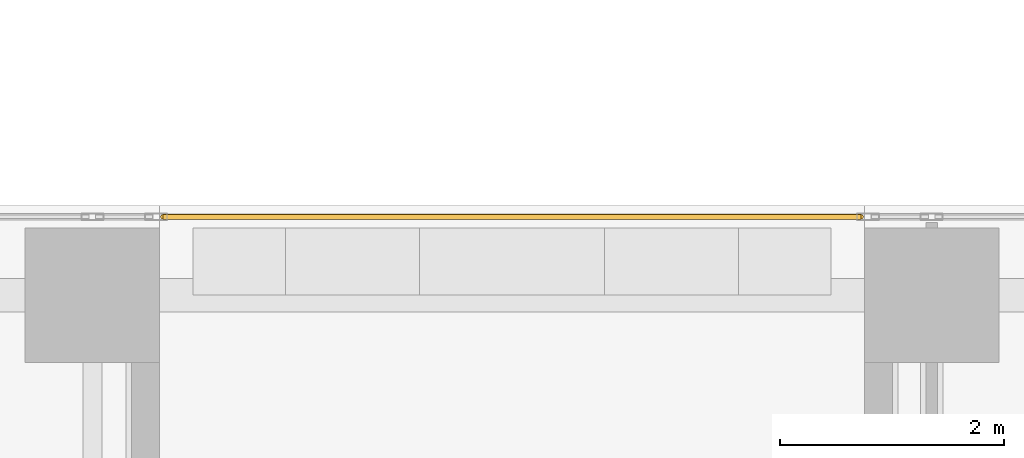
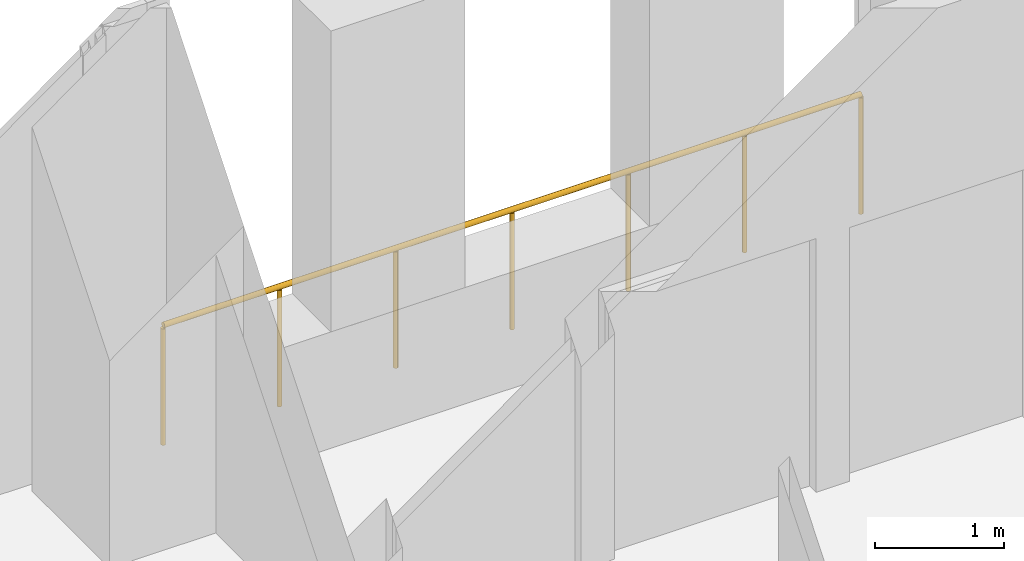
# One storey, part 32 of 33: 1 railing.
"""IFC4 building model written with IfcOpenShell, lengths in metres."""

from ifc_helpers import new_model, si_unit, direction, frame, origin, origin_2d, place, context, subcontext, project, spatial, circle, extrude, source, transform, mapped, material, type_object, element, save


model = new_model("IFC4")

# Units and contexts
model_context = context("Model", 3, precision=1e-05, world=origin(), true_north=direction((0.0, 1.0)))
body_context = subcontext(model_context, "Body", "Model", "MODEL_VIEW")
ifc_project = project(units=[si_unit("LENGTHUNIT", "METRE"), si_unit("AREAUNIT", "SQUARE_METRE"), si_unit("VOLUMEUNIT", "CUBIC_METRE"), si_unit("PLANEANGLEUNIT", "RADIAN"), si_unit("MASSUNIT", "GRAM", prefix="KILO")], contexts=[model_context])

# Site, building, storey
site_placement = place(None, origin())
site = spatial("IfcSite", under=ifc_project, at=site_placement, CompositionType="ELEMENT")
building_placement = place(site_placement, origin())
building = spatial("IfcBuilding", under=site, at=building_placement, Name="Khomas Fold Tower", CompositionType="ELEMENT")
storey_placement = place(building_placement, frame((0.0, 0.0, 55.5)))
storey = spatial("IfcBuildingStorey", under=building, at=storey_placement, Name="L11", CompositionType="ELEMENT", Elevation=55.5)

# Railing
ifc_material = material(Name="Powder-coated steel", Category="steel")
railing_type = type_object("IfcRailingType", Name="Balcony guard", PredefinedType="GUARDRAIL", material=ifc_material)
shared_shape = source(origin(), body_context, "Body", "SweptSolid", [
    extrude(circle(Radius=0.02490234375, at=origin_2d()), frame((0.0, 0.0, 1.125), z_axis=(1.0, 0.0, 0.0), x_axis=(0.0, 1.0, 0.0)), (0.0, 0.0, 1.0), 6.240234375),
    extrude(circle(Radius=0.02001953125, at=origin_2d()), origin(), (0.0, 0.0, 1.0), 1.099853515625),
    extrude(circle(Radius=0.02001953125, at=origin_2d()), frame((1.0400390625, 0.0, 0.0)), (0.0, 0.0, 1.0), 1.099853515625),
    extrude(circle(Radius=0.02001953125, at=origin_2d()), frame((2.080078125, 0.0, 0.0)), (0.0, 0.0, 1.0), 1.099853515625),
    extrude(circle(Radius=0.02001953125, at=origin_2d()), frame((3.1201171875, 0.0, 0.0)), (0.0, 0.0, 1.0), 1.099853515625),
    extrude(circle(Radius=0.02001953125, at=origin_2d()), frame((4.16015625, 0.0, 0.0)), (0.0, 0.0, 1.0), 1.099853515625),
    extrude(circle(Radius=0.02001953125, at=origin_2d()), frame((5.2001953125, 0.0, 0.0)), (0.0, 0.0, 1.0), 1.099853515625),
    extrude(circle(Radius=0.02001953125, at=origin_2d()), frame((6.240234375, 0.0, 0.0)), (0.0, 0.0, 1.0), 1.099853515625),
])
railing_placement = place(storey_placement, frame((27.6298828125, 53.89990234375, -0.044921875)))
element("IfcRailing", 1, at=railing_placement, inside=storey, type_object=railing_type, Name="Balcony guard BAL-L11-N3", PredefinedType="GUARDRAIL", context=body_context, shape_type="MappedRepresentation", body=[
    mapped(shared_shape, transform((0.0, 0.0, 0.0))),
])

save(model, "model.ifc")
